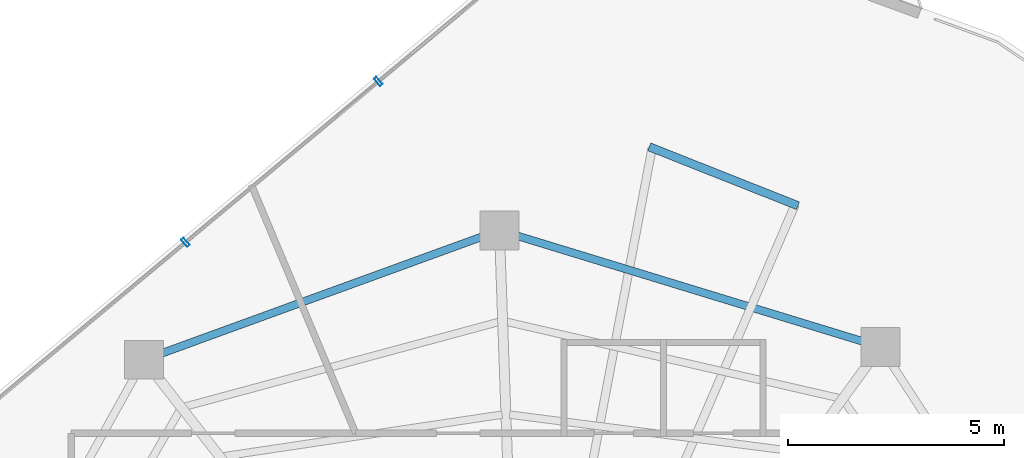
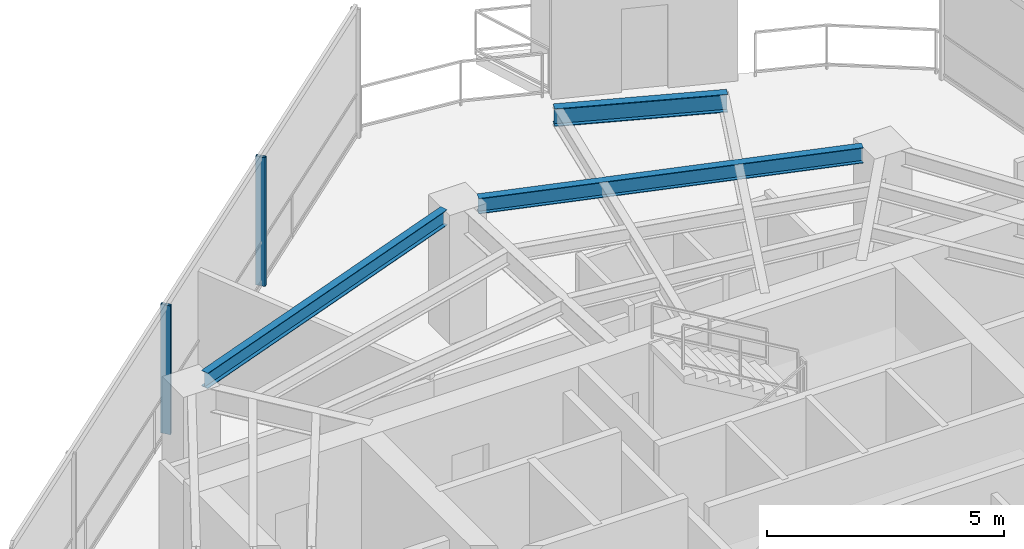
# One storey, part 12 of 18: 3 beams, 2 members, 1 element without a shape of its own.
"""IFC4 building model written with IfcOpenShell, lengths in metres."""

from ifc_helpers import new_model, si_unit, direction, frame, origin, origin_2d, place, context, subcontext, project, spatial, hollow_rectangle, i_section, extrude, material, layer, layer_set, material_profile, profile_set, type_object, element, aggregate, save


model = new_model("IFC4")

# Units and contexts
model_context = context("Model", 3, precision=1e-05, world=origin(), true_north=direction((0.0, 1.0)))
body_context = subcontext(model_context, "Body", "Model", "MODEL_VIEW")
ifc_project = project(units=[si_unit("LENGTHUNIT", "METRE"), si_unit("AREAUNIT", "SQUARE_METRE"), si_unit("VOLUMEUNIT", "CUBIC_METRE"), si_unit("PLANEANGLEUNIT", "RADIAN"), si_unit("MASSUNIT", "GRAM", prefix="KILO")], contexts=[model_context])

# Site, building, storey
site_placement = place(None, origin())
site = spatial("IfcSite", under=ifc_project, at=site_placement, CompositionType="ELEMENT")
building_placement = place(site_placement, origin())
building = spatial("IfcBuilding", under=site, at=building_placement, Name="Qarnah Convention Tower", CompositionType="ELEMENT")
storey_placement = place(building_placement, frame((0.0, 0.0, 216.60009765625)))
storey = spatial("IfcBuildingStorey", under=building, at=storey_placement, Name="L58", CompositionType="ELEMENT", Elevation=216.60009765625)

# Beams
ifc_material_1 = material(Name="Structural steel S355JR", Category="steel")
ifc_material_profile_1 = material_profile(ifc_material_1, i_section(OverallWidth=0.19189453125, OverallDepth=0.464111328125, WebThickness=0.010986328125, FlangeThickness=0.01806640625, at=origin_2d()), Name="W460X89")
ifc_profile_set_1 = profile_set([ifc_material_profile_1], Name="Structural steel S355JR")
beam_type_1 = type_object("IfcBeamType", Name="BM-CANT-W460A", PredefinedType="BEAM", material=ifc_profile_set_1)
beam_1_placement = place(storey_placement, frame((43.60791015625, 41.111083984375, 3.087890625), z_axis=(-0.929683207284, 0.368360060394, 0.0), x_axis=(-0.368360060394, -0.929683207284, 0.0)))
element("IfcBeam", 1, at=beam_1_placement, inside=storey, type_object=beam_type_1, Name="L58 spandrel BM-L58-CTIE-01", PredefinedType="SPANDREL", context=body_context, shape_type="SweptSolid", body=[
    extrude(i_section(OverallWidth=0.19189453125, OverallDepth=0.464111328125, WebThickness=0.010986328125, FlangeThickness=0.01806640625, at=origin_2d()), origin(), (0.0, 0.0, 1.0), 3.697021484375),
])
ifc_material_profile_2 = material_profile(ifc_material_1, i_section(OverallWidth=0.179931640625, OverallDepth=0.39990234375, WebThickness=0.009033203125, FlangeThickness=0.013916015625, at=origin_2d()), Name="IPE400")
ifc_profile_set_2 = profile_set([ifc_material_profile_2], Name="Structural steel S355JR")
beam_type_2 = type_object("IfcBeamType", Name="BM-SPN-IPE400", PredefinedType="SPANDREL", material=ifc_profile_set_2)
beam_2_placement = place(storey_placement, frame((45.095947265625, 37.97705078125, 3.119873046875), z_axis=(-0.956348614223, 0.292228212318, 0.0), x_axis=(-0.292228212318, -0.956348614223, 0.0)))
element("IfcBeam", 2, at=beam_2_placement, inside=storey, type_object=beam_type_2, Name="L58 spandrel BM-L58-SPN-02", PredefinedType="SPANDREL", context=body_context, shape_type="SweptSolid", body=[
    extrude(i_section(OverallWidth=0.179931640625, OverallDepth=0.39990234375, WebThickness=0.009033203125, FlangeThickness=0.013916015625, at=origin_2d()), origin(), (0.0, 0.0, 1.0), 8.332763671875),
])
beam_3_placement = place(storey_placement, frame((36.29296875, 40.39111328125, 3.119873046875), z_axis=(-0.939665594936, -0.342094387112, 0.0), x_axis=(0.342094387112, -0.939665594936, 0.0)))
element("IfcBeam", 3, at=beam_3_placement, inside=storey, type_object=beam_type_2, Name="L58 spandrel BM-L58-SPN-03", PredefinedType="SPANDREL", context=body_context, shape_type="SweptSolid", body=[
    extrude(i_section(OverallWidth=0.179931640625, OverallDepth=0.39990234375, WebThickness=0.009033203125, FlangeThickness=0.013916015625, at=origin_2d()), origin(), (0.0, 0.0, 1.0), 7.86669921875),
])

# Curtain wall, members
ifc_material_2 = material(Name="Tempered Low-E dark glass", Category="glass")
ifc_layer = layer(ifc_material_2, 0.174072265625)
ifc_layer_set = layer_set([ifc_layer], Name="Tempered Low-E dark glass")
curtain_wall_type = type_object("IfcCurtainWallType", Name="CWS-04", PredefinedType="NOTDEFINED", material=ifc_layer_set)
curtain_wall_placement = place(storey_placement, origin())
curtain_wall = element("IfcCurtainWall", 4, at=curtain_wall_placement, inside=storey, type_object=curtain_wall_type, Name="L58 unitised curtain wall CW-L58-F2", PredefinedType="NOTDEFINED")
ifc_material_3 = material(Name="Black anodised aluminium", Category="aluminium")
ifc_material_profile_3 = material_profile(ifc_material_3, hollow_rectangle(XDim=0.074951171875, YDim=0.219970703125, WallThickness=0.0048828125, at=origin_2d()), Name="MUL-75X220")
ifc_profile_set_3 = profile_set([ifc_material_profile_3], Name="Black anodised aluminium")
member_type = type_object("IfcMemberType", Name="MUL-T4", PredefinedType="MULLION", material=ifc_profile_set_3)
member_1_placement = place(storey_placement, frame((29.4453125, 40.265869140625, 0.0), z_axis=(0.0, 0.0, 1.0), x_axis=(0.767845724815, 0.64063479681, 0.0)))
member_1 = element("IfcMember", 5, at=member_1_placement, type_object=member_type, Name="CW-L58-F2 mullion 4", PredefinedType="MULLION", context=body_context, shape_type="SweptSolid", body=[
    extrude(hollow_rectangle(XDim=0.074951171875, YDim=0.219970703125, WallThickness=0.0048828125, at=origin_2d()), origin(), (0.0, 0.0, 1.0), 3.31982421875),
])
member_2_placement = place(storey_placement, frame((33.904541015625, 43.986328125, 0.0), z_axis=(0.0, 0.0, 1.0), x_axis=(0.767845724815, 0.64063479681, 0.0)))
member_2 = element("IfcMember", 6, at=member_2_placement, type_object=member_type, Name="CW-L58-F2 mullion 5", PredefinedType="MULLION", context=body_context, shape_type="SweptSolid", body=[
    extrude(hollow_rectangle(XDim=0.074951171875, YDim=0.219970703125, WallThickness=0.0048828125, at=origin_2d()), origin(), (0.0, 0.0, 1.0), 3.31982421875),
])
aggregate(curtain_wall, [member_1, member_2])

save(model, "model.ifc")
